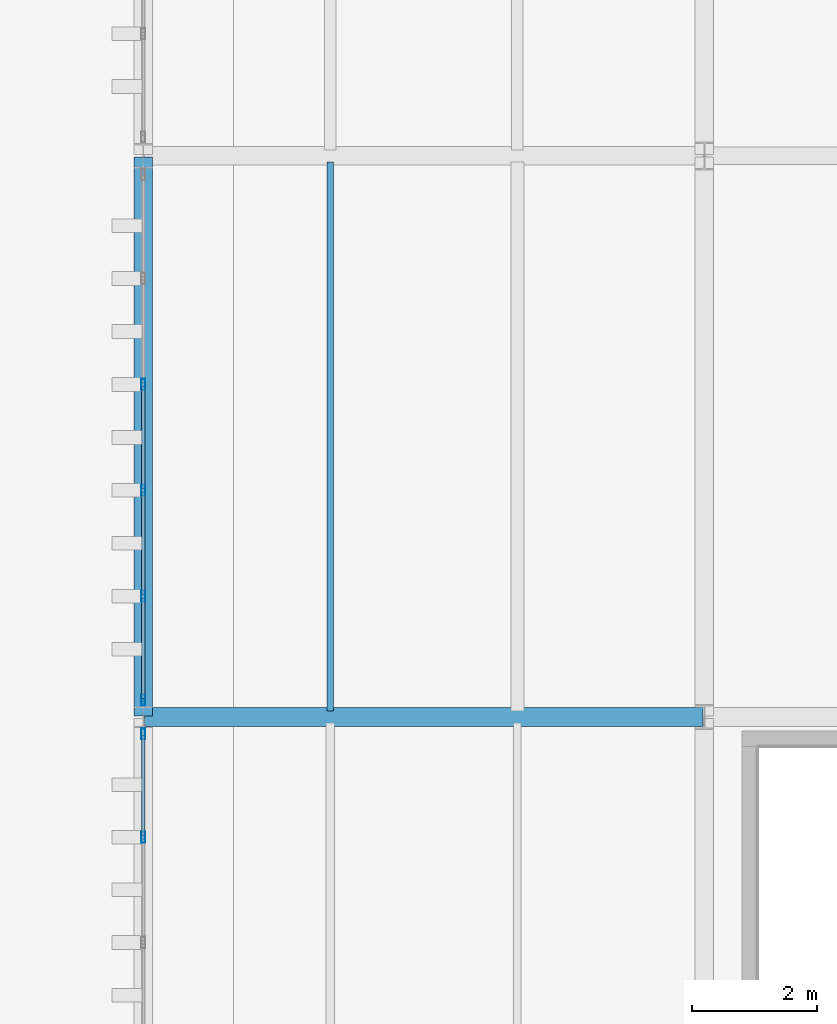
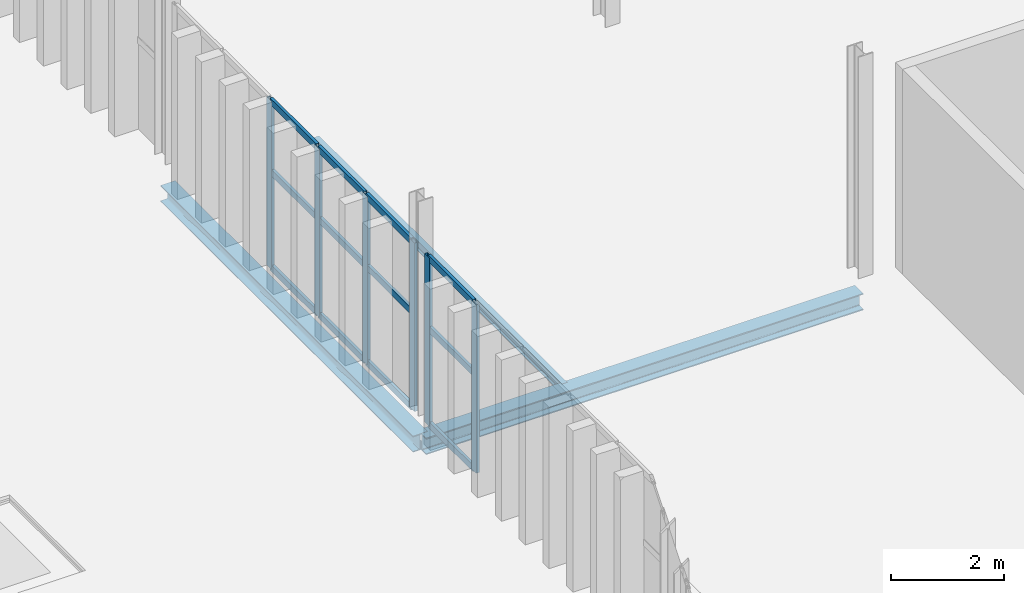
# One storey, part 109 of 196: 18 members, 3 beams, 2 elements without a shape of their own.
"""IFC4 building model written with IfcOpenShell, lengths in metres."""

from ifc_helpers import new_model, si_unit, direction, frame, origin, origin_2d, place, context, subcontext, project, spatial, hollow_rectangle, i_section, extrude, material, layer, layer_set, material_profile, profile_set, type_object, element, aggregate, save


model = new_model("IFC4")

# Units and contexts
model_context = context("Model", 3, precision=1e-05, world=origin(), true_north=direction((0.0, 1.0)))
body_context = subcontext(model_context, "Body", "Model", "MODEL_VIEW")
ifc_project = project(units=[si_unit("LENGTHUNIT", "METRE"), si_unit("AREAUNIT", "SQUARE_METRE"), si_unit("VOLUMEUNIT", "CUBIC_METRE"), si_unit("PLANEANGLEUNIT", "RADIAN"), si_unit("MASSUNIT", "GRAM", prefix="KILO")], contexts=[model_context])

# Site, building, storey
site_placement = place(None, origin())
site = spatial("IfcSite", under=ifc_project, at=site_placement, CompositionType="ELEMENT")
building_placement = place(site_placement, origin())
building = spatial("IfcBuilding", under=site, at=building_placement, Name="Barlavento Convention Centre", CompositionType="ELEMENT")
storey_placement = place(building_placement, frame((0.0, 0.0, 18.0)))
storey = spatial("IfcBuildingStorey", under=building, at=storey_placement, Name="L03", CompositionType="ELEMENT", Elevation=18.0)

# Curtain wall, members
ifc_material_1 = material(Name="Powder-coated aluminium and Low-E glass", Category="aluminium")
ifc_layer = layer(ifc_material_1, 0.179931640625)
ifc_layer_set = layer_set([ifc_layer], Name="ARC-CW-CONF-L03")
curtain_wall_type = type_object("IfcCurtainWallType", Name="ARC-CW-CONF-L03", PredefinedType="NOTDEFINED", material=ifc_layer_set)
curtain_wall_1_placement = place(storey_placement, origin())
curtain_wall_1 = element("IfcCurtainWall", 1, at=curtain_wall_1_placement, inside=storey, type_object=curtain_wall_type, Name="L03 unitised curtain wall CW08", PredefinedType="NOTDEFINED")
ifc_material_2 = material(Name="Powder-coated aluminium", Category="aluminium")
ifc_material_profile_1 = material_profile(ifc_material_2, hollow_rectangle(XDim=0.06005859375, YDim=0.179931640625, WallThickness=0.0048828125, at=origin_2d()), Name="AL-MULL 60x180x5")
ifc_profile_set_1 = profile_set([ifc_material_profile_1], Name="Powder-coated aluminium")
member_type_1 = type_object("IfcMemberType", Name="ARC-CWM-60X180", PredefinedType="MULLION", material=ifc_profile_set_1)
member_1_placement = place(storey_placement, frame((171.0, 16.072021484375, 0.0), z_axis=(0.0, 0.0, 1.0), x_axis=(-1.0, 0.0, 0.0)))
member_1 = element("IfcMember", 2, at=member_1_placement, type_object=member_type_1, Name="CW08 mullion 5", PredefinedType="MULLION", context=body_context, shape_type="SweptSolid", body=[
    extrude(hollow_rectangle(XDim=0.06005859375, YDim=0.179931640625, WallThickness=0.0048828125, at=origin_2d()), origin(), (0.0, 0.0, 1.0), 3.64990234375),
])
member_2_placement = place(storey_placement, frame((171.0, 17.72998046875, 0.0), z_axis=(0.0, 0.0, 1.0), x_axis=(-1.0, 0.0, 0.0)))
member_2 = element("IfcMember", 3, at=member_2_placement, type_object=member_type_1, Name="CW08 mullion 6", PredefinedType="MULLION", context=body_context, shape_type="SweptSolid", body=[
    extrude(hollow_rectangle(XDim=0.06005859375, YDim=0.179931640625, WallThickness=0.0048828125, at=origin_2d()), origin(), (0.0, 0.0, 1.0), 3.64990234375),
])

curtain_wall_2_placement = place(storey_placement, origin())
curtain_wall_2 = element("IfcCurtainWall", 4, at=curtain_wall_2_placement, inside=storey, type_object=curtain_wall_type, Name="L03 unitised curtain wall CW08", PredefinedType="NOTDEFINED")
member_3_placement = place(storey_placement, frame((171.0, 18.27001953125, 0.0), z_axis=(0.0, 0.0, 1.0), x_axis=(-1.0, 0.0, 0.0)))
member_3 = element("IfcMember", 5, at=member_3_placement, type_object=member_type_1, Name="CW08 mullion 1", PredefinedType="MULLION", context=body_context, shape_type="SweptSolid", body=[
    extrude(hollow_rectangle(XDim=0.06005859375, YDim=0.179931640625, WallThickness=0.0048828125, at=origin_2d()), origin(), (0.0, 0.0, 1.0), 3.64990234375),
])
member_4_placement = place(storey_placement, frame((171.0, 19.93798828125, 0.0), z_axis=(0.0, 0.0, 1.0), x_axis=(-1.0, 0.0, 0.0)))
member_4 = element("IfcMember", 6, at=member_4_placement, type_object=member_type_1, Name="CW08 mullion 2", PredefinedType="MULLION", context=body_context, shape_type="SweptSolid", body=[
    extrude(hollow_rectangle(XDim=0.06005859375, YDim=0.179931640625, WallThickness=0.0048828125, at=origin_2d()), origin(), (0.0, 0.0, 1.0), 3.64990234375),
])
member_5_placement = place(storey_placement, frame((171.0, 21.635986328125, 0.0), z_axis=(0.0, 0.0, 1.0), x_axis=(-1.0, 0.0, 0.0)))
member_5 = element("IfcMember", 7, at=member_5_placement, type_object=member_type_1, Name="CW08 mullion 3", PredefinedType="MULLION", context=body_context, shape_type="SweptSolid", body=[
    extrude(hollow_rectangle(XDim=0.06005859375, YDim=0.179931640625, WallThickness=0.0048828125, at=origin_2d()), origin(), (0.0, 0.0, 1.0), 3.64990234375),
])
member_6_placement = place(storey_placement, frame((171.0, 23.333984375, 0.0), z_axis=(0.0, 0.0, 1.0), x_axis=(-1.0, 0.0, 0.0)))
member_6 = element("IfcMember", 8, at=member_6_placement, type_object=member_type_1, Name="CW08 mullion 4", PredefinedType="MULLION", context=body_context, shape_type="SweptSolid", body=[
    extrude(hollow_rectangle(XDim=0.06005859375, YDim=0.179931640625, WallThickness=0.0048828125, at=origin_2d()), origin(), (0.0, 0.0, 1.0), 3.64990234375),
])

# Member
ifc_material_profile_2 = material_profile(ifc_material_2, hollow_rectangle(XDim=0.06005859375, YDim=0.139892578125, WallThickness=0.00390625, at=origin_2d()), Name="AL-TRAN 60x140x4")
ifc_profile_set_2 = profile_set([ifc_material_profile_2], Name="Powder-coated aluminium")
member_type_2 = type_object("IfcMemberType", Name="ARC-CWT-60X140", PredefinedType="USERDEFINED", material=ifc_profile_set_2)
member_7_placement = place(storey_placement, frame((171.0, 16.10205078125, 0.030029296875), z_axis=(0.0, 1.0, 0.0), x_axis=(-1.0, 0.0, 0.0)))
member_7 = element("IfcMember", 9, at=member_7_placement, type_object=member_type_2, Name="CW08 transom 5.1", ObjectType="TRANSOM", PredefinedType="USERDEFINED", context=body_context, shape_type="SweptSolid", body=[
    extrude(hollow_rectangle(XDim=0.06005859375, YDim=0.139892578125, WallThickness=0.00390625, at=origin_2d()), origin(), (0.0, 0.0, 1.0), 1.597900390625),
])

member_8_placement = place(storey_placement, frame((171.0, 16.10205078125, 2.10009765625), z_axis=(0.0, 1.0, 0.0), x_axis=(-1.0, 0.0, 0.0)))
member_8 = element("IfcMember", 10, at=member_8_placement, type_object=member_type_2, Name="CW08 transom 5.2", ObjectType="TRANSOM", PredefinedType="USERDEFINED", context=body_context, shape_type="SweptSolid", body=[
    extrude(hollow_rectangle(XDim=0.06005859375, YDim=0.139892578125, WallThickness=0.00390625, at=origin_2d()), origin(), (0.0, 0.0, 1.0), 1.597900390625),
])

member_9_placement = place(storey_placement, frame((171.0, 16.10205078125, 3.6201171875), z_axis=(0.0, 1.0, 0.0), x_axis=(-1.0, 0.0, 0.0)))
member_9 = element("IfcMember", 11, at=member_9_placement, type_object=member_type_2, Name="CW08 transom 5.3", ObjectType="TRANSOM", PredefinedType="USERDEFINED", context=body_context, shape_type="SweptSolid", body=[
    extrude(hollow_rectangle(XDim=0.06005859375, YDim=0.139892578125, WallThickness=0.00390625, at=origin_2d()), origin(), (0.0, 0.0, 1.0), 1.597900390625),
])

aggregate(curtain_wall_1, [member_1, member_2, member_7, member_8, member_9])

member_10_placement = place(storey_placement, frame((171.0, 18.300048828125, 0.030029296875), z_axis=(0.0, 1.0, 0.0), x_axis=(-1.0, 0.0, 0.0)))
member_10 = element("IfcMember", 12, at=member_10_placement, type_object=member_type_2, Name="CW08 transom 1.1", ObjectType="TRANSOM", PredefinedType="USERDEFINED", context=body_context, shape_type="SweptSolid", body=[
    extrude(hollow_rectangle(XDim=0.06005859375, YDim=0.139892578125, WallThickness=0.00390625, at=origin_2d()), origin(), (0.0, 0.0, 1.0), 1.60791015625),
])

member_11_placement = place(storey_placement, frame((171.0, 18.300048828125, 2.10009765625), z_axis=(0.0, 1.0, 0.0), x_axis=(-1.0, 0.0, 0.0)))
member_11 = element("IfcMember", 13, at=member_11_placement, type_object=member_type_2, Name="CW08 transom 1.2", ObjectType="TRANSOM", PredefinedType="USERDEFINED", context=body_context, shape_type="SweptSolid", body=[
    extrude(hollow_rectangle(XDim=0.06005859375, YDim=0.139892578125, WallThickness=0.00390625, at=origin_2d()), origin(), (0.0, 0.0, 1.0), 1.60791015625),
])

member_12_placement = place(storey_placement, frame((171.0, 18.300048828125, 3.6201171875), z_axis=(0.0, 1.0, 0.0), x_axis=(-1.0, 0.0, 0.0)))
member_12 = element("IfcMember", 14, at=member_12_placement, type_object=member_type_2, Name="CW08 transom 1.3", ObjectType="TRANSOM", PredefinedType="USERDEFINED", context=body_context, shape_type="SweptSolid", body=[
    extrude(hollow_rectangle(XDim=0.06005859375, YDim=0.139892578125, WallThickness=0.00390625, at=origin_2d()), origin(), (0.0, 0.0, 1.0), 1.60791015625),
])

member_13_placement = place(storey_placement, frame((171.0, 19.968017578125, 0.030029296875), z_axis=(0.0, 1.0, 0.0), x_axis=(-1.0, 0.0, 0.0)))
member_13 = element("IfcMember", 15, at=member_13_placement, type_object=member_type_2, Name="CW08 transom 2.1", ObjectType="TRANSOM", PredefinedType="USERDEFINED", context=body_context, shape_type="SweptSolid", body=[
    extrude(hollow_rectangle(XDim=0.06005859375, YDim=0.139892578125, WallThickness=0.00390625, at=origin_2d()), origin(), (0.0, 0.0, 1.0), 1.637939453125),
])

member_14_placement = place(storey_placement, frame((171.0, 19.968017578125, 2.10009765625), z_axis=(0.0, 1.0, 0.0), x_axis=(-1.0, 0.0, 0.0)))
member_14 = element("IfcMember", 16, at=member_14_placement, type_object=member_type_2, Name="CW08 transom 2.2", ObjectType="TRANSOM", PredefinedType="USERDEFINED", context=body_context, shape_type="SweptSolid", body=[
    extrude(hollow_rectangle(XDim=0.06005859375, YDim=0.139892578125, WallThickness=0.00390625, at=origin_2d()), origin(), (0.0, 0.0, 1.0), 1.637939453125),
])

member_15_placement = place(storey_placement, frame((171.0, 19.968017578125, 3.6201171875), z_axis=(0.0, 1.0, 0.0), x_axis=(-1.0, 0.0, 0.0)))
member_15 = element("IfcMember", 17, at=member_15_placement, type_object=member_type_2, Name="CW08 transom 2.3", ObjectType="TRANSOM", PredefinedType="USERDEFINED", context=body_context, shape_type="SweptSolid", body=[
    extrude(hollow_rectangle(XDim=0.06005859375, YDim=0.139892578125, WallThickness=0.00390625, at=origin_2d()), origin(), (0.0, 0.0, 1.0), 1.637939453125),
])

member_16_placement = place(storey_placement, frame((171.0, 21.666015625, 0.030029296875), z_axis=(0.0, 1.0, 0.0), x_axis=(-1.0, 0.0, 0.0)))
member_16 = element("IfcMember", 18, at=member_16_placement, type_object=member_type_2, Name="CW08 transom 3.1", ObjectType="TRANSOM", PredefinedType="USERDEFINED", context=body_context, shape_type="SweptSolid", body=[
    extrude(hollow_rectangle(XDim=0.06005859375, YDim=0.139892578125, WallThickness=0.00390625, at=origin_2d()), origin(), (0.0, 0.0, 1.0), 1.637939453125),
])

member_17_placement = place(storey_placement, frame((171.0, 21.666015625, 2.10009765625), z_axis=(0.0, 1.0, 0.0), x_axis=(-1.0, 0.0, 0.0)))
member_17 = element("IfcMember", 19, at=member_17_placement, type_object=member_type_2, Name="CW08 transom 3.2", ObjectType="TRANSOM", PredefinedType="USERDEFINED", context=body_context, shape_type="SweptSolid", body=[
    extrude(hollow_rectangle(XDim=0.06005859375, YDim=0.139892578125, WallThickness=0.00390625, at=origin_2d()), origin(), (0.0, 0.0, 1.0), 1.637939453125),
])

member_18_placement = place(storey_placement, frame((171.0, 21.666015625, 3.6201171875), z_axis=(0.0, 1.0, 0.0), x_axis=(-1.0, 0.0, 0.0)))
member_18 = element("IfcMember", 20, at=member_18_placement, type_object=member_type_2, Name="CW08 transom 3.3", ObjectType="TRANSOM", PredefinedType="USERDEFINED", context=body_context, shape_type="SweptSolid", body=[
    extrude(hollow_rectangle(XDim=0.06005859375, YDim=0.139892578125, WallThickness=0.00390625, at=origin_2d()), origin(), (0.0, 0.0, 1.0), 1.637939453125),
])

aggregate(curtain_wall_2, [member_3, member_4, member_5, member_6, member_10, member_11, member_12, member_13, member_14, member_15, member_16, member_17, member_18])

# Beams
ifc_material_3 = material(Name="Steel S355", Category="steel")
ifc_material_profile_3 = material_profile(ifc_material_3, i_section(OverallWidth=0.110107421875, OverallDepth=0.219970703125, WebThickness=0.005859375, FlangeThickness=0.00927734375, FilletRadius=0.011962890625, at=origin_2d()), Name="IPE 220")
ifc_profile_set_3 = profile_set([ifc_material_profile_3], Name="Steel S355")
beam_type_1 = type_object("IfcBeamType", Name="STR-BM-JST-IPE220", PredefinedType="JOIST", material=ifc_profile_set_3)
beam_1_placement = place(storey_placement, frame((174.0, 18.094970703125, -0.5), z_axis=(0.0, 1.0, 0.0), x_axis=(-1.0, 0.0, 0.0)))
element("IfcBeam", 21, at=beam_1_placement, inside=storey, type_object=beam_type_1, Name="L03 composite floor joist SJ10", PredefinedType="JOIST", context=body_context, shape_type="SweptSolid", body=[
    extrude(i_section(OverallWidth=0.110107421875, OverallDepth=0.219970703125, WebThickness=0.005859375, FlangeThickness=0.00927734375, FilletRadius=0.011962890625, at=origin_2d()), origin(), (0.0, 0.0, 1.0), 8.81005859375),
])
ifc_material_profile_4 = material_profile(ifc_material_3, i_section(OverallWidth=0.300048828125, OverallDepth=0.35009765625, WebThickness=0.010009765625, FlangeThickness=0.017578125, FilletRadius=0.027099609375, at=origin_2d()), Name="HEA 360")
ifc_profile_set_4 = profile_set([ifc_material_profile_4], Name="Steel S355")
beam_type_2 = type_object("IfcBeamType", Name="STR-BM-PRI-HEA360", PredefinedType="BEAM", material=ifc_profile_set_4)
beam_2_placement = place(storey_placement, frame((171.0, 18.02001953125, -0.56494140625), z_axis=(0.0, 1.0, 0.0), x_axis=(-1.0, 0.0, 0.0)))
element("IfcBeam", 22, at=beam_2_placement, inside=storey, type_object=beam_type_2, Name="L03 grid girder BG23", PredefinedType="BEAM", context=body_context, shape_type="SweptSolid", body=[
    extrude(i_section(OverallWidth=0.300048828125, OverallDepth=0.35009765625, WebThickness=0.010009765625, FlangeThickness=0.017578125, FilletRadius=0.027099609375, at=origin_2d()), origin(), (0.0, 0.0, 1.0), 8.9599609375),
])
ifc_material_profile_5 = material_profile(ifc_material_3, i_section(OverallWidth=0.300048828125, OverallDepth=0.360107421875, WebThickness=0.012451171875, FlangeThickness=0.0224609375, FilletRadius=0.027099609375, at=origin_2d()), Name="HEB 360")
ifc_profile_set_5 = profile_set([ifc_material_profile_5], Name="Steel S355")
beam_type_3 = type_object("IfcBeamType", Name="STR-BM-PRI-HEB360", PredefinedType="BEAM", material=ifc_profile_set_5)
beam_3_placement = place(storey_placement, frame((171.02001953125, 18.0, -0.570068359375), z_axis=(1.0, 0.0, 0.0), x_axis=(0.0, 1.0, 0.0)))
element("IfcBeam", 23, at=beam_3_placement, inside=storey, type_object=beam_type_3, Name="L03 primary girder BG12", PredefinedType="BEAM", context=body_context, shape_type="SweptSolid", body=[
    extrude(i_section(OverallWidth=0.300048828125, OverallDepth=0.360107421875, WebThickness=0.012451171875, FlangeThickness=0.0224609375, FilletRadius=0.027099609375, at=origin_2d()), origin(), (0.0, 0.0, 1.0), 8.9599609375),
])

save(model, "model.ifc")
